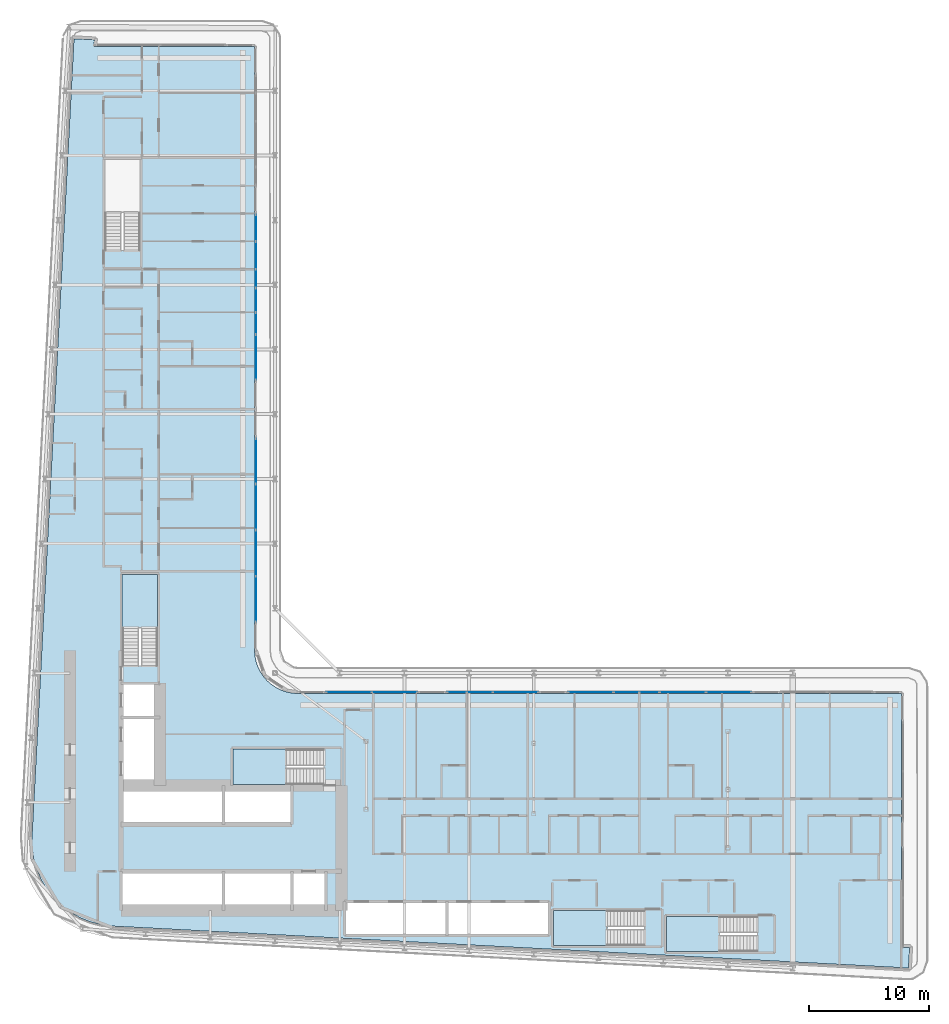
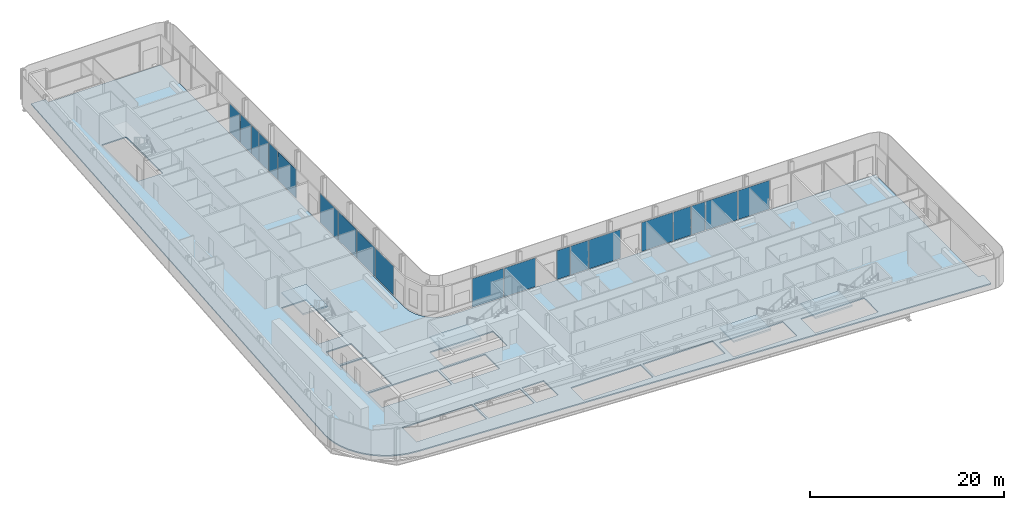
# One storey, part 10 of 27: 20 plates, 5 slabs, 12 elements without a shape of their own.
"""IFC4 building model written with IfcOpenShell, lengths in metres."""

from ifc_helpers import new_model, si_unit, direction, frame, origin, origin_2d, place, context, subcontext, project, spatial, polyline, rectangle, outline, extrude, material, layer, layer_set, type_object, element, aggregate, save


model = new_model("IFC4")

# Units and contexts
model_context = context("Model", 3, precision=1e-05, world=origin(), true_north=direction((0.0, 1.0)))
body_context = subcontext(model_context, "Body", "Model", "MODEL_VIEW")
ifc_project = project(units=[si_unit("LENGTHUNIT", "METRE"), si_unit("AREAUNIT", "SQUARE_METRE"), si_unit("VOLUMEUNIT", "CUBIC_METRE"), si_unit("PLANEANGLEUNIT", "RADIAN"), si_unit("MASSUNIT", "GRAM", prefix="KILO")], contexts=[model_context])

# Site, building, storey
site_placement = place(None, origin())
site = spatial("IfcSite", under=ifc_project, at=site_placement, CompositionType="ELEMENT")
building_placement = place(site_placement, origin())
building = spatial("IfcBuilding", under=site, at=building_placement, Name="Kheshtan School and Residences Tower", CompositionType="ELEMENT")
storey_placement = place(building_placement, frame((0.0, 0.0, 53.89990234375)))
storey = spatial("IfcBuildingStorey", under=building, at=storey_placement, Name="L12", CompositionType="ELEMENT", Elevation=53.89990234375)

# Curtain wall, plates
ifc_material_1 = material(Name="Clear low-e glass in thermally broken aluminium frame", Category="aluminium")
ifc_layer_1 = layer(ifc_material_1, 0.199951171875)
ifc_layer_set_1 = layer_set([ifc_layer_1], Name="Curtain wall CW-L")
curtain_wall_type = type_object("IfcCurtainWallType", Name="Curtain wall CW-L", PredefinedType="NOTDEFINED", material=ifc_layer_set_1)
curtain_wall_1_placement = place(storey_placement, origin())
curtain_wall_1 = element("IfcCurtainWall", 1, at=curtain_wall_1_placement, inside=storey, type_object=curtain_wall_type, Name="Curtain wall CWL8b", PredefinedType="NOTDEFINED")
ifc_layer_2 = layer(ifc_material_1, 0.031982421875)
ifc_layer_set_2 = layer_set([ifc_layer_2], Name="CW-L glass panel")
plate_type = type_object("IfcPlateType", Name="CW-L glass panel", PredefinedType="CURTAIN_PANEL", material=ifc_layer_set_2)
plate_1_placement = place(storey_placement, frame((46.0, 82.75048828125, 0.000244140625), z_axis=(0.0, 0.0, 1.0), x_axis=(0.0, -1.0, 0.0)))
plate_1 = element("IfcPlate", 2, at=plate_1_placement, type_object=plate_type, Name="CWL8b panel 1.1", PredefinedType="CURTAIN_PANEL", context=body_context, shape_type="SweptSolid", body=[
    extrude(rectangle(XDim=2.19091796875, YDim=0.031982421875, at=origin_2d()), origin(), (0.0, 0.0, 1.0), 3.6298828125),
])
plate_2_placement = place(storey_placement, frame((46.0, 80.46240234375, 0.000244140625), z_axis=(0.0, 0.0, 1.0), x_axis=(0.0, -1.0, 0.0)))
plate_2 = element("IfcPlate", 3, at=plate_2_placement, type_object=plate_type, Name="CWL8b panel 2.1", PredefinedType="CURTAIN_PANEL", context=body_context, shape_type="SweptSolid", body=[
    extrude(rectangle(XDim=2.264892578125, YDim=0.031982421875, at=origin_2d()), origin(), (0.0, 0.0, 1.0), 3.6298828125),
])
plate_3_placement = place(storey_placement, frame((46.0, 78.52099609375, 0.000244140625), z_axis=(0.0, 0.0, 1.0), x_axis=(0.0, -1.0, 0.0)))
plate_3 = element("IfcPlate", 4, at=plate_3_placement, type_object=plate_type, Name="CWL8b panel 3.1", PredefinedType="CURTAIN_PANEL", context=body_context, shape_type="SweptSolid", body=[
    extrude(rectangle(XDim=1.498046875, YDim=0.031982421875, at=origin_2d()), origin(), (0.0, 0.0, 1.0), 3.6298828125),
])
aggregate(curtain_wall_1, [plate_1, plate_2, plate_3])

curtain_wall_2_placement = place(storey_placement, origin())
curtain_wall_2 = element("IfcCurtainWall", 5, at=curtain_wall_2_placement, inside=storey, type_object=curtain_wall_type, Name="Curtain wall CWL8c", PredefinedType="NOTDEFINED")
plate_4_placement = place(storey_placement, frame((46.0, 76.720947265625, 0.000244140625), z_axis=(0.0, 0.0, 1.0), x_axis=(0.0, -1.0, 0.0)))
plate_4 = element("IfcPlate", 6, at=plate_4_placement, type_object=plate_type, Name="CWL8c panel 1.1", PredefinedType="CURTAIN_PANEL", context=body_context, shape_type="SweptSolid", body=[
    extrude(rectangle(XDim=1.98193359375, YDim=0.031982421875, at=origin_2d()), origin(), (0.0, 0.0, 1.0), 3.6298828125),
])
plate_5_placement = place(storey_placement, frame((46.0, 74.782470703125, 0.000244140625), z_axis=(0.0, 0.0, 1.0), x_axis=(0.0, -1.0, 0.0)))
plate_5 = element("IfcPlate", 7, at=plate_5_placement, type_object=plate_type, Name="CWL8c panel 2.1", PredefinedType="CURTAIN_PANEL", context=body_context, shape_type="SweptSolid", body=[
    extrude(rectangle(XDim=1.77490234375, YDim=0.031982421875, at=origin_2d()), origin(), (0.0, 0.0, 1.0), 3.6298828125),
])
plate_6_placement = place(storey_placement, frame((46.0, 71.95654296875, 0.000244140625), z_axis=(0.0, 0.0, 1.0), x_axis=(0.0, -1.0, 0.0)))
plate_6 = element("IfcPlate", 8, at=plate_6_placement, type_object=plate_type, Name="CWL8c panel 3.1", PredefinedType="CURTAIN_PANEL", context=body_context, shape_type="SweptSolid", body=[
    extrude(rectangle(XDim=3.757080078125, YDim=0.031982421875, at=origin_2d()), origin(), (0.0, 0.0, 1.0), 3.6298828125),
])
aggregate(curtain_wall_2, [plate_4, plate_5, plate_6])

curtain_wall_3_placement = place(storey_placement, origin())
curtain_wall_3 = element("IfcCurtainWall", 9, at=curtain_wall_3_placement, inside=storey, type_object=curtain_wall_type, Name="Curtain wall CWL8", PredefinedType="NOTDEFINED")
plate_7_placement = place(storey_placement, frame((46.0, 63.279541015625, 0.000244140625), z_axis=(0.0, 0.0, 1.0), x_axis=(0.0, -1.0, 0.0)))
plate_7 = element("IfcPlate", 10, at=plate_7_placement, type_object=plate_type, Name="CWL8 panel 1.1", PredefinedType="CURTAIN_PANEL", context=body_context, shape_type="SweptSolid", body=[
    extrude(rectangle(XDim=3.757080078125, YDim=0.031982421875, at=origin_2d()), origin(), (0.0, 0.0, 1.0), 3.6298828125),
])
plate_8_placement = place(storey_placement, frame((46.0, 59.46240234375, 0.000244140625), z_axis=(0.0, 0.0, 1.0), x_axis=(0.0, -1.0, 0.0)))
plate_8 = element("IfcPlate", 11, at=plate_8_placement, type_object=plate_type, Name="CWL8 panel 2.1", PredefinedType="CURTAIN_PANEL", context=body_context, shape_type="SweptSolid", body=[
    extrude(rectangle(XDim=3.757080078125, YDim=0.031982421875, at=origin_2d()), origin(), (0.0, 0.0, 1.0), 3.6298828125),
])
aggregate(curtain_wall_3, [plate_7, plate_8])

curtain_wall_4_placement = place(storey_placement, origin())
curtain_wall_4 = element("IfcCurtainWall", 12, at=curtain_wall_4_placement, inside=storey, type_object=curtain_wall_type, Name="Curtain wall CWL8", PredefinedType="NOTDEFINED")
plate_9_placement = place(storey_placement, frame((46.0, 55.615478515625, 0.000244140625), z_axis=(0.0, 0.0, 1.0), x_axis=(0.0, -1.0, 0.0)))
plate_9 = element("IfcPlate", 13, at=plate_9_placement, type_object=plate_type, Name="CWL8 panel 1.1", PredefinedType="CURTAIN_PANEL", context=body_context, shape_type="SweptSolid", body=[
    extrude(rectangle(XDim=3.81689453125, YDim=0.031982421875, at=origin_2d()), origin(), (0.0, 0.0, 1.0), 3.6298828125),
])
plate_10_placement = place(storey_placement, frame((46.0, 51.7685546875, 0.000244140625), z_axis=(0.0, 0.0, 1.0), x_axis=(0.0, -1.0, 0.0)))
plate_10 = element("IfcPlate", 14, at=plate_10_placement, type_object=plate_type, Name="CWL8 panel 2.1", PredefinedType="CURTAIN_PANEL", context=body_context, shape_type="SweptSolid", body=[
    extrude(rectangle(XDim=3.757080078125, YDim=0.031982421875, at=origin_2d()), origin(), (0.0, 0.0, 1.0), 3.6298828125),
])
aggregate(curtain_wall_4, [plate_9, plate_10])

curtain_wall_5_placement = place(storey_placement, origin())
curtain_wall_5 = element("IfcCurtainWall", 15, at=curtain_wall_5_placement, inside=storey, type_object=curtain_wall_type, Name="Curtain wall CWL12j", PredefinedType="NOTDEFINED")
plate_11_placement = place(storey_placement, frame((53.7685546875, 44.0, 0.000244140625), z_axis=(0.0, 0.0, 1.0), x_axis=(1.0, 0.0, 0.0)))
plate_11 = element("IfcPlate", 16, at=plate_11_placement, type_object=plate_type, Name="CWL12j panel 1.1", PredefinedType="CURTAIN_PANEL", context=body_context, shape_type="SweptSolid", body=[
    extrude(rectangle(XDim=3.757080078125, YDim=0.031982421875, at=origin_2d()), origin(), (0.0, 0.0, 1.0), 3.6298828125),
])
plate_12_placement = place(storey_placement, frame((57.58544921875, 44.0, 0.000244140625), z_axis=(0.0, 0.0, 1.0), x_axis=(1.0, 0.0, 0.0)))
plate_12 = element("IfcPlate", 17, at=plate_12_placement, type_object=plate_type, Name="CWL12j panel 2.1", PredefinedType="CURTAIN_PANEL", context=body_context, shape_type="SweptSolid", body=[
    extrude(rectangle(XDim=3.757080078125, YDim=0.031982421875, at=origin_2d()), origin(), (0.0, 0.0, 1.0), 3.6298828125),
])
aggregate(curtain_wall_5, [plate_11, plate_12])

curtain_wall_6_placement = place(storey_placement, origin())
curtain_wall_6 = element("IfcCurtainWall", 18, at=curtain_wall_6_placement, inside=storey, type_object=curtain_wall_type, Name="Curtain wall CWL12k", PredefinedType="NOTDEFINED")
plate_13_placement = place(storey_placement, frame((62.777099609375, 44.0, 0.000244140625), z_axis=(0.0, 0.0, 1.0), x_axis=(1.0, 0.0, 0.0)))
plate_13 = element("IfcPlate", 19, at=plate_13_placement, type_object=plate_type, Name="CWL12k panel 1.1", PredefinedType="CURTAIN_PANEL", context=body_context, shape_type="SweptSolid", body=[
    extrude(rectangle(XDim=1.5859375, YDim=0.031982421875, at=origin_2d()), origin(), (0.0, 0.0, 1.0), 3.6298828125),
])
plate_14_placement = place(storey_placement, frame((64.685546875, 44.0, 0.000244140625), z_axis=(0.0, 0.0, 1.0), x_axis=(1.0, 0.0, 0.0)))
plate_14 = element("IfcPlate", 20, at=plate_14_placement, type_object=plate_type, Name="CWL12k panel 2.1", PredefinedType="CURTAIN_PANEL", context=body_context, shape_type="SweptSolid", body=[
    extrude(rectangle(XDim=2.111083984375, YDim=0.031982421875, at=origin_2d()), origin(), (0.0, 0.0, 1.0), 3.6298828125),
])
plate_15_placement = place(storey_placement, frame((67.679443359375, 44.0, 0.000244140625), z_axis=(0.0, 0.0, 1.0), x_axis=(1.0, 0.0, 0.0)))
plate_15 = element("IfcPlate", 21, at=plate_15_placement, type_object=plate_type, Name="CWL12k panel 3.1", PredefinedType="CURTAIN_PANEL", context=body_context, shape_type="SweptSolid", body=[
    extrude(rectangle(XDim=3.757080078125, YDim=0.031982421875, at=origin_2d()), origin(), (0.0, 0.0, 1.0), 3.6298828125),
])
aggregate(curtain_wall_6, [plate_13, plate_14, plate_15])

curtain_wall_7_placement = place(storey_placement, origin())
curtain_wall_7 = element("IfcCurtainWall", 22, at=curtain_wall_7_placement, inside=storey, type_object=curtain_wall_type, Name="Curtain wall CWL12k", PredefinedType="NOTDEFINED")
plate_16_placement = place(storey_placement, frame((73.95654296875, 44.0, 0.000244140625), z_axis=(0.0, 0.0, 1.0), x_axis=(1.0, 0.0, 0.0)))
plate_16 = element("IfcPlate", 23, at=plate_16_placement, type_object=plate_type, Name="CWL12k panel 1.1", PredefinedType="CURTAIN_PANEL", context=body_context, shape_type="SweptSolid", body=[
    extrude(rectangle(XDim=3.757080078125, YDim=0.031982421875, at=origin_2d()), origin(), (0.0, 0.0, 1.0), 3.6298828125),
])
plate_17_placement = place(storey_placement, frame((76.9326171875, 44.0, 0.000244140625), z_axis=(0.0, 0.0, 1.0), x_axis=(1.0, 0.0, 0.0)))
plate_17 = element("IfcPlate", 24, at=plate_17_placement, type_object=plate_type, Name="CWL12k panel 2.1", PredefinedType="CURTAIN_PANEL", context=body_context, shape_type="SweptSolid", body=[
    extrude(rectangle(XDim=2.074951171875, YDim=0.031982421875, at=origin_2d()), origin(), (0.0, 0.0, 1.0), 3.6298828125),
])
plate_18_placement = place(storey_placement, frame((78.841064453125, 44.0, 0.000244140625), z_axis=(0.0, 0.0, 1.0), x_axis=(1.0, 0.0, 0.0)))
plate_18 = element("IfcPlate", 25, at=plate_18_placement, type_object=plate_type, Name="CWL12k panel 3.1", PredefinedType="CURTAIN_PANEL", context=body_context, shape_type="SweptSolid", body=[
    extrude(rectangle(XDim=1.6220703125, YDim=0.031982421875, at=origin_2d()), origin(), (0.0, 0.0, 1.0), 3.6298828125),
])
aggregate(curtain_wall_7, [plate_16, plate_17, plate_18])

curtain_wall_8_placement = place(storey_placement, origin())
curtain_wall_8 = element("IfcCurtainWall", 26, at=curtain_wall_8_placement, inside=storey, type_object=curtain_wall_type, Name="Curtain wall CWL12j", PredefinedType="NOTDEFINED")
plate_19_placement = place(storey_placement, frame((81.62060546875, 44.0, 0.000244140625), z_axis=(0.0, 0.0, 1.0), x_axis=(1.0, 0.0, 0.0)))
plate_19 = element("IfcPlate", 27, at=plate_19_placement, type_object=plate_type, Name="CWL12j panel 1.1", PredefinedType="CURTAIN_PANEL", context=body_context, shape_type="SweptSolid", body=[
    extrude(rectangle(XDim=3.81689453125, YDim=0.031982421875, at=origin_2d()), origin(), (0.0, 0.0, 1.0), 3.6298828125),
])
plate_20_placement = place(storey_placement, frame((85.467529296875, 44.0, 0.000244140625), z_axis=(0.0, 0.0, 1.0), x_axis=(1.0, 0.0, 0.0)))
plate_20 = element("IfcPlate", 28, at=plate_20_placement, type_object=plate_type, Name="CWL12j panel 2.1", PredefinedType="CURTAIN_PANEL", context=body_context, shape_type="SweptSolid", body=[
    extrude(rectangle(XDim=3.757080078125, YDim=0.031982421875, at=origin_2d()), origin(), (0.0, 0.0, 1.0), 3.6298828125),
])
aggregate(curtain_wall_8, [plate_19, plate_20])

# Slab
ifc_material_2 = material(Name="Concrete C40/50", Category="concrete")
ifc_layer_3 = layer(ifc_material_2, 0.14990234375)
ifc_layer_set_3 = layer_set([ifc_layer_3], Name="Floor slab 150 Concrete C40/50")
slab_type_1 = type_object("IfcSlabType", Name="Floor slab 150 Concrete C40/50", PredefinedType="FLOOR", material=ifc_layer_set_3)
slab_1_placement = place(storey_placement, frame((0.0, 0.0, -0.14990234375)))
element("IfcSlab", 29, at=slab_1_placement, inside=storey, type_object=slab_type_1, Name="Floor slab L12", PredefinedType="FLOOR", context=body_context, shape_type="SweptSolid", body=[
    extrude(outline(polyline([(27.718017578125, 29.200927734375), (27.466064453125, 30.093017578125), (27.466064453125, 30.093994140625), (27.3330078125, 31.013916015625), (27.320068359375, 31.965087890625), (27.320068359375, 31.970947265625), (30.822021484375, 98.5009765625), (30.822998046875, 98.508056640625), (30.825927734375, 98.531005859375), (30.825927734375, 98.531982421875), (30.826904296875, 98.531982421875), (31.422119140625, 98.5), (31.423095703125, 98.5), (31.423095703125, 98.4990234375), (31.423095703125, 98.4951171875), (31.423095703125, 98.493896484375), (31.424072265625, 98.493896484375), (31.424072265625, 98.492919921875), (31.425048828125, 98.492919921875), (31.426025390625, 98.492919921875), (31.426025390625, 98.493896484375), (31.427978515625, 98.49609375), (31.428955078125, 98.4970703125), (31.429931640625, 98.498046875), (31.430908203125, 98.498046875), (31.430908203125, 98.4990234375), (31.431884765625, 98.4990234375), (31.431884765625, 98.5), (31.43505859375, 98.5009765625), (31.43603515625, 98.501953125), (31.43896484375, 98.501953125), (31.43994140625, 98.501953125), (31.43994140625, 98.5029296875), (31.44091796875, 98.5029296875), (31.446044921875, 98.5029296875), (32.5009765625, 98.447021484375), (32.50390625, 98.447021484375), (32.5048828125, 98.447021484375), (32.5048828125, 98.446044921875), (32.506103515625, 98.446044921875), (32.510009765625, 98.446044921875), (32.510009765625, 98.445068359375), (32.510986328125, 98.445068359375), (32.510986328125, 98.444091796875), (32.511962890625, 98.444091796875), (32.511962890625, 98.443115234375), (32.512939453125, 98.443115234375), (32.513916015625, 98.443115234375), (32.513916015625, 98.44189453125), (32.514892578125, 98.44189453125), (32.51611328125, 98.44189453125), (32.51904296875, 98.43896484375), (32.51904296875, 98.43798828125), (32.51904296875, 98.43701171875), (32.52001953125, 98.43701171875), (32.52001953125, 98.43603515625), (32.52099609375, 98.43603515625), (32.52099609375, 98.43408203125), (32.52099609375, 98.43310546875), (32.52197265625, 98.43310546875), (32.52197265625, 98.431884765625), (32.52294921875, 98.431884765625), (32.52294921875, 98.430908203125), (32.52294921875, 98.428955078125), (32.52294921875, 98.427978515625), (32.52392578125, 98.427978515625), (32.52392578125, 98.427001953125), (32.52392578125, 98.422119140625), (32.4970703125, 97.9208984375), (32.4970703125, 97.91796875), (32.4970703125, 97.9169921875), (32.49609375, 97.9169921875), (32.49609375, 97.916015625), (32.49609375, 97.912109375), (32.4951171875, 97.910888671875), (32.4951171875, 97.909912109375), (32.493896484375, 97.909912109375), (32.493896484375, 97.908935546875), (32.492919921875, 97.908935546875), (32.492919921875, 97.907958984375), (32.489013671875, 97.904052734375), (32.488037109375, 97.904052734375), (32.488037109375, 97.903076171875), (32.488037109375, 97.902099609375), (32.488037109375, 97.90087890625), (32.489013671875, 97.90087890625), (32.489013671875, 97.89990234375), (32.489990234375, 97.89990234375), (45.85498046875, 97.89990234375), (45.864990234375, 97.89794921875), (45.865966796875, 97.89794921875), (45.868896484375, 97.89599609375), (45.8740234375, 97.89404296875), (45.8779296875, 97.89208984375), (45.881103515625, 97.889892578125), (45.881103515625, 97.888916015625), (45.882080078125, 97.888916015625), (45.882080078125, 97.887939453125), (45.883056640625, 97.887939453125), (45.884033203125, 97.885009765625), (45.885009765625, 97.885009765625), (45.885009765625, 97.884033203125), (45.887939453125, 97.883056640625), (45.887939453125, 97.882080078125), (45.888916015625, 97.882080078125), (45.888916015625, 97.881103515625), (45.889892578125, 97.881103515625), (45.89208984375, 97.8779296875), (45.89404296875, 97.8740234375), (45.89599609375, 97.868896484375), (45.89794921875, 97.865966796875), (45.89794921875, 97.864990234375), (45.89990234375, 97.85498046875), (45.89990234375, 47.429931640625), (45.927001953125, 47.030029296875), (46.01806640625, 46.570068359375), (46.01806640625, 46.569091796875), (46.169921875, 46.1201171875), (46.37890625, 45.697021484375), (46.638916015625, 45.30810546875), (46.949951171875, 44.950927734375), (46.950927734375, 44.949951171875), (47.30810546875, 44.638916015625), (47.697021484375, 44.37890625), (48.1201171875, 44.169921875), (48.569091796875, 44.01806640625), (48.570068359375, 44.01806640625), (49.030029296875, 43.927001953125), (49.429931640625, 43.89990234375), (99.85498046875, 43.89990234375), (99.864990234375, 43.89794921875), (99.865966796875, 43.89794921875), (99.868896484375, 43.89599609375), (99.8740234375, 43.89404296875), (99.8779296875, 43.89208984375), (99.881103515625, 43.889892578125), (99.881103515625, 43.888916015625), (99.882080078125, 43.888916015625), (99.882080078125, 43.887939453125), (99.883056640625, 43.887939453125), (99.884033203125, 43.885009765625), (99.885009765625, 43.885009765625), (99.885009765625, 43.884033203125), (99.887939453125, 43.883056640625), (99.887939453125, 43.882080078125), (99.888916015625, 43.882080078125), (99.888916015625, 43.881103515625), (99.889892578125, 43.881103515625), (99.89208984375, 43.8779296875), (99.89404296875, 43.8740234375), (99.89599609375, 43.868896484375), (99.89794921875, 43.865966796875), (99.89794921875, 43.864990234375), (99.89990234375, 43.85498046875), (99.89990234375, 22.708984375), (99.89990234375, 22.7080078125), (99.90087890625, 22.7080078125), (99.90087890625, 22.70703125), (99.902099609375, 22.70703125), (99.903076171875, 22.70703125), (99.903076171875, 22.7080078125), (99.905029296875, 22.7099609375), (99.906982421875, 22.7119140625), (99.907958984375, 22.7119140625), (99.907958984375, 22.712890625), (99.908935546875, 22.712890625), (99.908935546875, 22.714111328125), (99.909912109375, 22.714111328125), (99.912109375, 22.715087890625), (99.9130859375, 22.716064453125), (99.916015625, 22.716064453125), (99.9169921875, 22.716064453125), (99.9169921875, 22.717041015625), (99.91796875, 22.717041015625), (99.923095703125, 22.717041015625), (100.5380859375, 22.68408203125), (100.541015625, 22.68408203125), (100.5419921875, 22.68408203125), (100.5419921875, 22.68310546875), (100.54296875, 22.68310546875), (100.547119140625, 22.68310546875), (100.547119140625, 22.681884765625), (100.548095703125, 22.681884765625), (100.548095703125, 22.680908203125), (100.549072265625, 22.680908203125), (100.549072265625, 22.679931640625), (100.550048828125, 22.679931640625), (100.551025390625, 22.679931640625), (100.551025390625, 22.678955078125), (100.552001953125, 22.678955078125), (100.552978515625, 22.678955078125), (100.552978515625, 22.677978515625), (100.554931640625, 22.676025390625), (100.555908203125, 22.676025390625), (100.555908203125, 22.675048828125), (100.555908203125, 22.674072265625), (100.556884765625, 22.674072265625), (100.556884765625, 22.673095703125), (100.55810546875, 22.673095703125), (100.55810546875, 22.6708984375), (100.55810546875, 22.669921875), (100.55908203125, 22.669921875), (100.55908203125, 22.6689453125), (100.56005859375, 22.6689453125), (100.56005859375, 22.66796875), (100.56005859375, 22.666015625), (100.56005859375, 22.6650390625), (100.56103515625, 22.6650390625), (100.56103515625, 22.6640625), (100.56103515625, 22.658935546875), (100.5048828125, 21.60205078125), (100.5048828125, 21.59912109375), (100.5048828125, 21.597900390625), (100.50390625, 21.597900390625), (100.50390625, 21.596923828125), (100.50390625, 21.593017578125), (100.5029296875, 21.592041015625), (100.5029296875, 21.591064453125), (100.501953125, 21.591064453125), (100.501953125, 21.590087890625), (100.5009765625, 21.590087890625), (100.5009765625, 21.589111328125), (100.5, 21.587890625), (100.498046875, 21.5859375), (100.4970703125, 21.5849609375), (100.49609375, 21.5849609375), (100.49609375, 21.583984375), (100.49609375, 21.5830078125), (100.49609375, 21.58203125), (100.4970703125, 21.58203125), (100.4970703125, 21.5810546875), (100.498046875, 21.5810546875), (100.4990234375, 21.5810546875), (100.5, 21.5810546875), (100.5, 21.580078125), (100.468017578125, 20.985107421875), (100.468017578125, 20.98388671875), (100.467041015625, 20.98388671875), (100.443115234375, 20.98291015625), (100.43798828125, 20.98291015625), (34.056884765625, 24.47802734375), (33.114990234375, 24.590087890625), (32.215087890625, 24.819091796875), (32.214111328125, 24.819091796875), (31.35205078125, 25.1630859375), (30.541015625, 25.616943359375), (29.799072265625, 26.1708984375), (29.799072265625, 26.172119140625), (29.798095703125, 26.172119140625), (29.134033203125, 26.820068359375), (29.134033203125, 26.821044921875), (29.133056640625, 26.821044921875), (28.55908203125, 27.550048828125), (28.0849609375, 28.345947265625), (27.718017578125, 29.200927734375)]), holes=[polyline([(99.89990234375, 21.5869140625), (99.89990234375, 21.5830078125), (99.89990234375, 21.58203125), (99.90087890625, 21.58203125), (99.90087890625, 21.5810546875), (99.902099609375, 21.5810546875), (99.906005859375, 21.5810546875), (99.906982421875, 21.5810546875), (99.906982421875, 21.58203125), (99.907958984375, 21.58203125), (99.907958984375, 21.5830078125), (99.907958984375, 21.583984375), (99.906982421875, 21.583984375), (99.905029296875, 21.5859375), (99.904052734375, 21.5869140625), (99.903076171875, 21.587890625), (99.903076171875, 21.589111328125), (99.902099609375, 21.589111328125), (99.90087890625, 21.589111328125), (99.90087890625, 21.587890625), (99.89990234375, 21.587890625), (99.89990234375, 21.5869140625)]), polyline([(31.423095703125, 97.906005859375), (31.423095703125, 97.902099609375), (31.423095703125, 97.90087890625), (31.424072265625, 97.90087890625), (31.424072265625, 97.89990234375), (31.425048828125, 97.89990234375), (31.428955078125, 97.89990234375), (31.429931640625, 97.89990234375), (31.429931640625, 97.90087890625), (31.430908203125, 97.90087890625), (31.430908203125, 97.902099609375), (31.430908203125, 97.903076171875), (31.429931640625, 97.903076171875), (31.428955078125, 97.904052734375), (31.427978515625, 97.905029296875), (31.427001953125, 97.906005859375), (31.426025390625, 97.906982421875), (31.426025390625, 97.907958984375), (31.425048828125, 97.907958984375), (31.424072265625, 97.907958984375), (31.424072265625, 97.906982421875), (31.423095703125, 97.906982421875), (31.423095703125, 97.906005859375)]), polyline([(34.875, 28.925048828125), (34.875, 25.925048828125), (43.175048828125, 25.925048828125), (43.175048828125, 28.925048828125), (34.875, 28.925048828125)]), polyline([(43.425048828125, 25.925048828125), (48.875, 25.925048828125), (48.875, 28.925048828125), (43.425048828125, 28.925048828125), (43.425048828125, 25.925048828125)]), polyline([(43.175048828125, 36.074951171875), (34.875, 36.074951171875), (34.875, 33.074951171875), (43.175048828125, 33.074951171875), (43.175048828125, 36.074951171875)]), polyline([(34.875, 41.77490234375), (34.875, 36.324951171875), (37.875, 36.324951171875), (37.875, 41.77490234375), (34.875, 41.77490234375)]), polyline([(34.875, 44.625), (34.875, 42.02490234375), (37.875, 42.02490234375), (37.875, 44.625), (34.875, 44.625)]), polyline([(37.800048828125, 46.25), (37.800048828125, 53.81005859375), (34.85009765625, 53.81005859375), (34.85009765625, 46.260009765625), (36.25, 46.260009765625), (36.25, 46.25), (37.800048828125, 46.25)]), polyline([(33.39990234375, 88.4599609375), (33.39990234375, 80.909912109375), (34.800048828125, 80.909912109375), (34.800048828125, 80.89990234375), (36.35009765625, 80.89990234375), (36.35009765625, 88.4599609375), (33.39990234375, 88.4599609375)]), polyline([(87.81005859375, 22.35009765625), (87.81005859375, 23.75), (87.820068359375, 23.75), (87.820068359375, 25.300048828125), (80.260009765625, 25.300048828125), (80.260009765625, 22.35009765625), (87.81005859375, 22.35009765625)]), polyline([(70.85009765625, 22.85009765625), (78.39990234375, 22.85009765625), (78.39990234375, 24.25), (78.409912109375, 24.25), (78.409912109375, 25.800048828125), (70.85009765625, 25.800048828125), (70.85009765625, 22.85009765625)]), polyline([(61.824951171875, 26.425048828125), (53.52490234375, 26.425048828125), (53.52490234375, 23.824951171875), (61.824951171875, 23.824951171875), (61.824951171875, 26.425048828125)]), polyline([(62.074951171875, 23.824951171875), (70.375, 23.824951171875), (70.375, 26.425048828125), (62.074951171875, 26.425048828125), (62.074951171875, 23.824951171875)]), polyline([(49.125, 28.925048828125), (49.125, 25.925048828125), (51.72509765625, 25.925048828125), (51.72509765625, 28.925048828125), (49.125, 28.925048828125)]), polyline([(43.425048828125, 33.074951171875), (48.875, 33.074951171875), (48.875, 36.074951171875), (43.425048828125, 36.074951171875), (43.425048828125, 33.074951171875)]), polyline([(51.64990234375, 39.25), (44.090087890625, 39.25), (44.090087890625, 36.300048828125), (51.639892578125, 36.300048828125), (51.639892578125, 37.699951171875), (51.64990234375, 37.699951171875), (51.64990234375, 39.25)])]), origin(), (0.0, 0.0, 1.0), 0.14990234375),
])

# Stair, slab
stair_type = type_object("IfcStairType", Name="Exit stair, half-turn", PredefinedType="HALF_TURN_STAIR", material=ifc_material_2)
stair_1_placement = place(storey_placement, origin())
stair_1 = element("IfcStair", 30, at=stair_1_placement, inside=storey, type_object=stair_type, Name="L12 Protected Exit Stair ST1", PredefinedType="HALF_TURN_STAIR")
ifc_layer_4 = layer(ifc_material_2, 0.199951171875)
ifc_layer_set_4 = layer_set([ifc_layer_4], Name="Stair landing 200 Concrete C40/50")
slab_type_2 = type_object("IfcSlabType", Name="Stair landing 200 Concrete C40/50", PredefinedType="LANDING", material=ifc_layer_set_4)
slab_2_placement = place(storey_placement, frame((0.0, 0.0, 1.75)))
slab_2 = element("IfcSlab", 31, at=slab_2_placement, type_object=slab_type_2, Name="ST1 landing 1", PredefinedType="LANDING", context=body_context, shape_type="SweptSolid", body=[
    extrude(outline(polyline([(48.570068359375, 39.25), (44.090087890625, 39.25), (44.090087890625, 36.300048828125), (48.570068359375, 36.300048828125), (48.570068359375, 39.25)])), origin(), (0.0, 0.0, 1.0), 0.2001953125),
])
aggregate(stair_1, [slab_2])

stair_2_placement = place(storey_placement, origin())
stair_2 = element("IfcStair", 32, at=stair_2_placement, inside=storey, type_object=stair_type, Name="L12 Protected Exit Stair ST2", PredefinedType="HALF_TURN_STAIR")
slab_3_placement = place(storey_placement, frame((0.0, 0.0, 1.75)))
slab_3 = element("IfcSlab", 33, at=slab_3_placement, type_object=slab_type_2, Name="ST2 landing 1", PredefinedType="LANDING", context=body_context, shape_type="SweptSolid", body=[
    extrude(outline(polyline([(37.800048828125, 49.330078125), (37.800048828125, 53.81005859375), (34.85009765625, 53.81005859375), (34.85009765625, 49.330078125), (37.800048828125, 49.330078125)])), origin(), (0.0, 0.0, 1.0), 0.2001953125),
])
aggregate(stair_2, [slab_3])

stair_3_placement = place(storey_placement, origin())
stair_3 = element("IfcStair", 34, at=stair_3_placement, inside=storey, type_object=stair_type, Name="L12 Protected Exit Stair ST4", PredefinedType="HALF_TURN_STAIR")
slab_4_placement = place(storey_placement, frame((0.0, 0.0, 1.75)))
slab_4 = element("IfcSlab", 35, at=slab_4_placement, type_object=slab_type_2, Name="ST4 landing 1", PredefinedType="LANDING", context=body_context, shape_type="SweptSolid", body=[
    extrude(outline(polyline([(84.739990234375, 25.300048828125), (80.260009765625, 25.300048828125), (80.260009765625, 22.35009765625), (84.739990234375, 22.35009765625), (84.739990234375, 25.300048828125)])), origin(), (0.0, 0.0, 1.0), 0.2001953125),
])
aggregate(stair_3, [slab_4])

stair_4_placement = place(storey_placement, origin())
stair_4 = element("IfcStair", 36, at=stair_4_placement, inside=storey, type_object=stair_type, Name="L12 Protected Exit Stair ST5", PredefinedType="HALF_TURN_STAIR")
slab_5_placement = place(storey_placement, frame((0.0, 0.0, 1.75)))
slab_5 = element("IfcSlab", 37, at=slab_5_placement, type_object=slab_type_2, Name="ST5 landing 1", PredefinedType="LANDING", context=body_context, shape_type="SweptSolid", body=[
    extrude(outline(polyline([(75.330078125, 25.800048828125), (70.85009765625, 25.800048828125), (70.85009765625, 22.85009765625), (75.330078125, 22.85009765625), (75.330078125, 25.800048828125)])), origin(), (0.0, 0.0, 1.0), 0.2001953125),
])
aggregate(stair_4, [slab_5])

save(model, "model.ifc")
